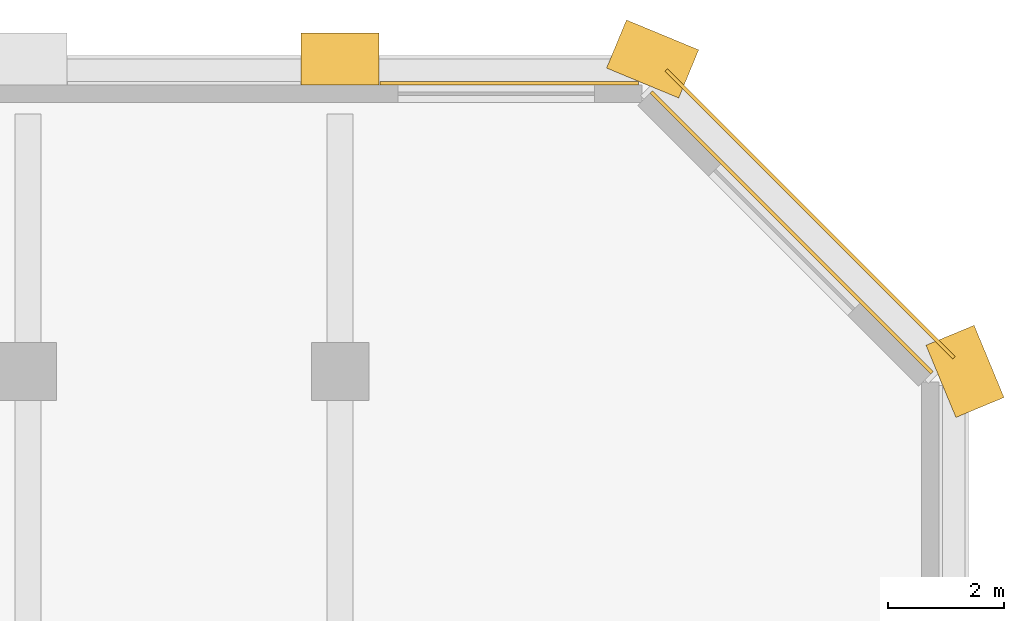
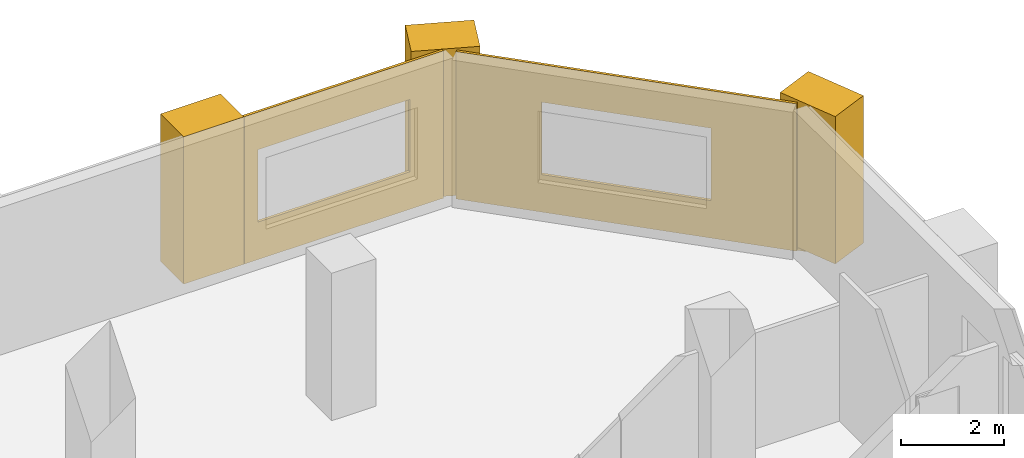
# One storey, part 10 of 10: 6 coverings.
"""IFC4 building model written with IfcOpenShell, lengths in metres."""

from ifc_helpers import new_model, si_unit, direction, frame, frame_2d, origin, place, context, subcontext, project, spatial, polyline, rectangle, outline, extrude, material, layer, layer_set, type_object, element, save


model = new_model("IFC4")

# Units and contexts
model_context = context("Model", 3, precision=1e-05, world=origin(), true_north=direction((0.0, 1.0)))
body_context = subcontext(model_context, "Body", "Model", "MODEL_VIEW")
ifc_project = project(units=[si_unit("LENGTHUNIT", "METRE"), si_unit("AREAUNIT", "SQUARE_METRE"), si_unit("VOLUMEUNIT", "CUBIC_METRE"), si_unit("PLANEANGLEUNIT", "RADIAN"), si_unit("MASSUNIT", "GRAM", prefix="KILO")], contexts=[model_context])

# Site, building, storey
site_placement = place(None, origin())
site = spatial("IfcSite", under=ifc_project, at=site_placement, CompositionType="ELEMENT")
building_placement = place(site_placement, origin())
building = spatial("IfcBuilding", under=site, at=building_placement, Name="Tabaq Tower and Sports Hall", CompositionType="ELEMENT")
storey_placement = place(building_placement, frame((0.0, 0.0, 87.800048828125)))
storey = spatial("IfcBuildingStorey", under=building, at=storey_placement, Name="L20", CompositionType="ELEMENT", Elevation=87.800048828125)

# Coverings
ifc_material_1 = material(Name="Precast concrete C60/75", Category="concrete")
ifc_layer_1 = layer(ifc_material_1, 0.06005859375)
ifc_layer_set_1 = layer_set([ifc_layer_1], Name="Edge beam cladding 60")
covering_type_1 = type_object("IfcCoveringType", Name="Edge beam cladding 60", PredefinedType="CLADDING", material=ifc_layer_set_1)
covering_1_placement = place(storey_placement, frame((48.41015625, 43.432373046875, -0.300048828125), z_axis=(0.0, 0.0, 1.0), x_axis=(-0.707106781187, 0.707106781187, 0.0)))
element("IfcCovering", 1, at=covering_1_placement, inside=storey, type_object=covering_type_1, Name="Edge beam cladding L20 3", PredefinedType="CLADDING", context=body_context, shape_type="SweptSolid", body=[
    extrude(rectangle(XDim=7.03955078125, YDim=0.06005859375, at=frame_2d((3.519775390625, 0.0))), origin(), (0.0, 0.0, 1.0), 0.300048828125),
])
ifc_material_2 = material(Name="White precast concrete C60/75", Category="concrete")
covering_type_2 = type_object("IfcCoveringType", Name="Pier cladding hung 1350x900", PredefinedType="CLADDING", material=ifc_material_2)
for number, where, z_axis, x_axis, name in (
    (2, (38.47509765625, 48.60009765625, 0.0), (0.0, 0.0, 1.0), (-1.0, 0.0, 0.0), "Hung pier cladding 7/9"),
    (3, (43.82373046875, 48.341796875, 0.0), (0.0, 0.0, 1.0), (-0.923893411637, 0.382649923473, 0.0), "Hung pier cladding 8/9"),
    (4, (48.8583984375, 42.576416015625, 0.0), (0.0, 0.0, 1.0), (-0.382649923473, 0.923893411637, 0.0), "Hung pier cladding 9/8"),
):
    element("IfcCovering", number, at=place(storey_placement, frame(where, z_axis=z_axis, x_axis=x_axis)), inside=storey, type_object=covering_type_2, Name=name, PredefinedType="CLADDING", context=body_context, shape_type="SweptSolid", body=[
        extrude(rectangle(XDim=1.35009765625, YDim=0.89990234375, at=frame_2d((0.675048828125, 0.0))), origin(), (0.0, 0.0, 1.0), 3.5),
    ])
ifc_material_3 = material(Name="Precast concrete C60/75", Category="concrete")
ifc_layer_2 = layer(ifc_material_3, 0.06005859375)
ifc_layer_set_2 = layer_set([ifc_layer_2], Name="White precast cladding panel 60 C60/75")
covering_type_3 = type_object("IfcCoveringType", Name="White precast cladding panel 60 C60/75", PredefinedType="CLADDING", material=ifc_layer_set_2)
covering_2_placement = place(storey_placement, frame((48.0283203125, 43.177734375, 0.0), z_axis=(0.0, 0.0, 1.0), x_axis=(-0.707106781187, 0.707106781187, 0.0)))
element("IfcCovering", 5, at=covering_2_placement, inside=storey, type_object=covering_type_3, Name="White precast cladding panel L20 wall03", PredefinedType="CLADDING", context=body_context, shape_type="SweptSolid", body=[
    extrude(outline(polyline([(0.0, 0.0), (6.85986328125, 0.0), (6.85986328125, 3.5), (0.0, 3.5), (0.0, 0.0)]), holes=[polyline([(1.7197265625, 0.889892578125), (1.7197265625, 2.60986328125), (5.139892578125, 2.60986328125), (5.139892578125, 0.889892578125), (1.7197265625, 0.889892578125)])]), frame((0.0, 0.030029296875, 0.0), z_axis=(0.0, -1.0, 0.0), x_axis=(1.0, 0.0, 0.0)), (0.0, 0.0, 1.0), 0.06005859375),
])
covering_3_placement = place(storey_placement, frame((42.956787109375, 48.179931640625, 0.0), z_axis=(0.0, 0.0, 1.0), x_axis=(-1.0, 0.0, 0.0)))
element("IfcCovering", 6, at=covering_3_placement, inside=storey, type_object=covering_type_3, Name="White precast cladding panel L20 wall04", PredefinedType="CLADDING", context=body_context, shape_type="SweptSolid", body=[
    extrude(outline(polyline([(0.0, 0.0), (4.4716796875, 0.0), (4.4716796875, 3.5), (0.0, 3.5), (0.0, 0.0)]), holes=[polyline([(0.746826171875, 0.889892578125), (0.746826171875, 2.60986328125), (4.166748046875, 2.60986328125), (4.166748046875, 0.889892578125), (0.746826171875, 0.889892578125)])]), frame((0.0, 0.030029296875, 0.0), z_axis=(0.0, -1.0, 0.0), x_axis=(1.0, 0.0, 0.0)), (0.0, 0.0, 1.0), 0.06005859375),
])

save(model, "model.ifc")
